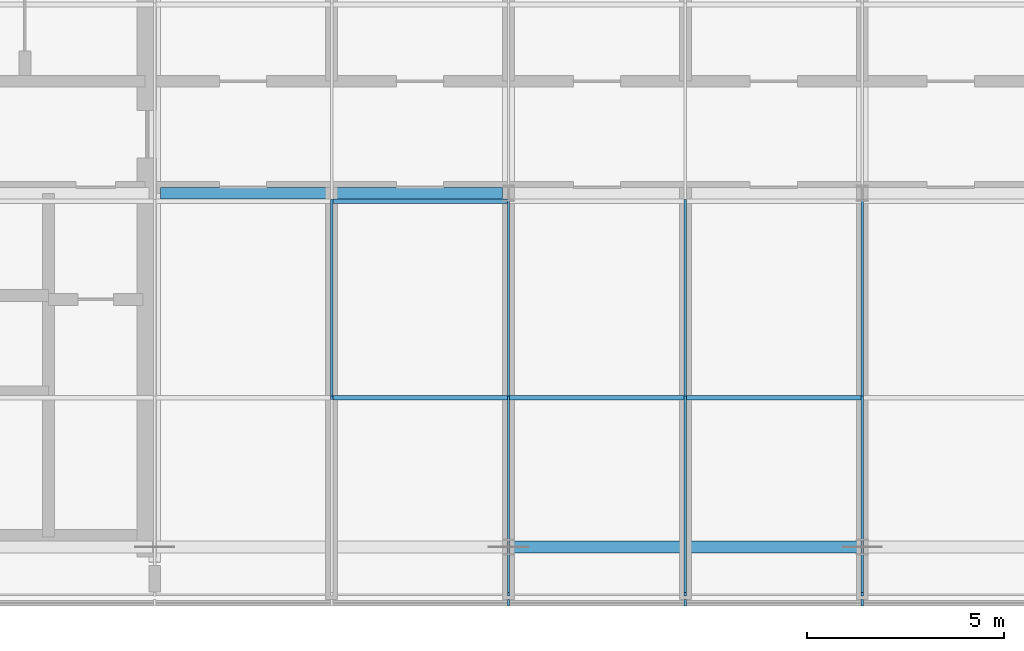
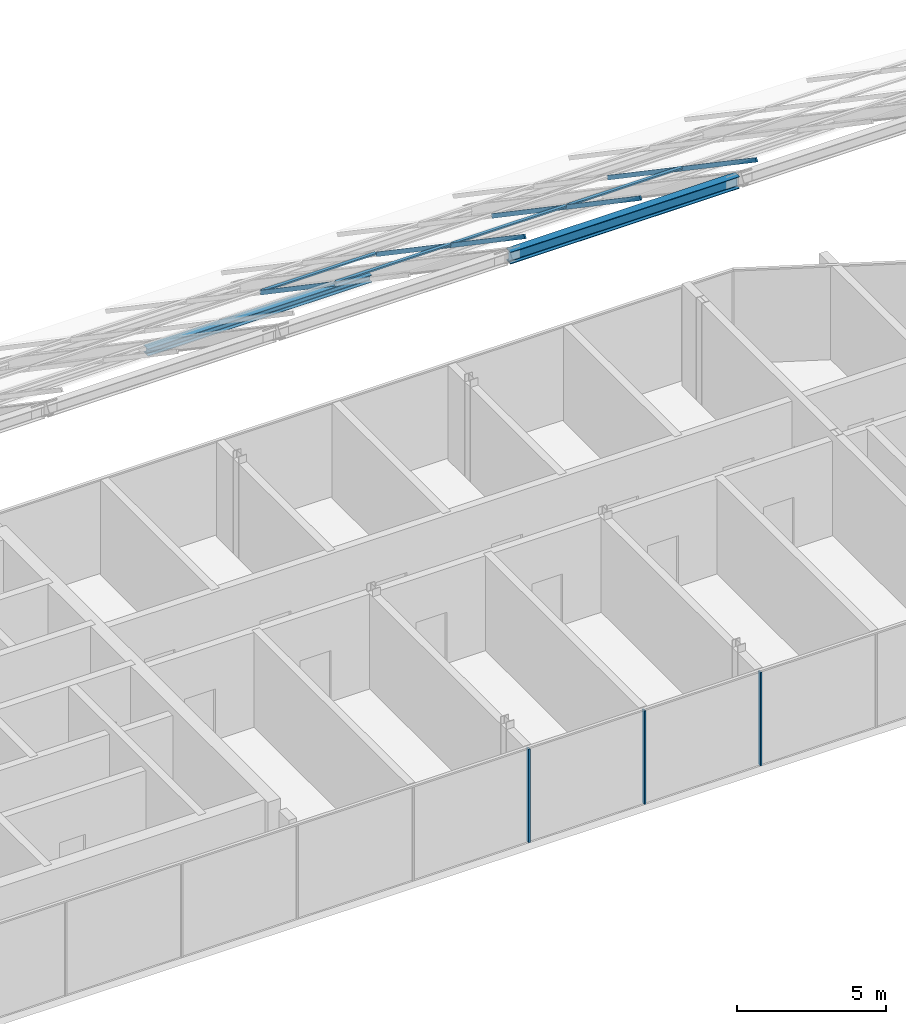
# One storey, part 10 of 25: 16 members, 3 elements without a shape of their own.
"""IFC4 building model written with IfcOpenShell, lengths in metres."""

from ifc_helpers import new_model, si_unit, direction, frame, origin, origin_2d, place, context, subcontext, project, spatial, rectangle, i_section, extrude, material, material_profile, profile_set, type_object, element, aggregate, save


model = new_model("IFC4")

# Units and contexts
model_context = context("Model", 3, precision=1e-05, world=origin(), true_north=direction((0.0, 1.0)))
body_context = subcontext(model_context, "Body", "Model", "MODEL_VIEW")
ifc_project = project(units=[si_unit("LENGTHUNIT", "METRE"), si_unit("AREAUNIT", "SQUARE_METRE"), si_unit("VOLUMEUNIT", "CUBIC_METRE"), si_unit("PLANEANGLEUNIT", "RADIAN"), si_unit("MASSUNIT", "GRAM", prefix="KILO")], contexts=[model_context])

# Site, building, storey
site_placement = place(None, origin())
site = spatial("IfcSite", under=ifc_project, at=site_placement, CompositionType="ELEMENT")
building_placement = place(site_placement, origin())
building = spatial("IfcBuilding", under=site, at=building_placement, Name="Ogive Portal Towers", CompositionType="ELEMENT")
storey_placement = place(building_placement, frame((0.0, 0.0, 272.89990234375)))
storey = spatial("IfcBuildingStorey", under=building, at=storey_placement, Name="L66", CompositionType="ELEMENT", Elevation=272.89990234375)

# Members
ifc_material_1 = material(Name="Steel S355", Category="steel")
ifc_material_profile_1 = material_profile(ifc_material_1, i_section(OverallWidth=0.300048828125, OverallDepth=0.300048828125, WebThickness=0.010986328125, FlangeThickness=0.01904296875, FilletRadius=0.027099609375, at=origin_2d()), Name="HEB 300")
ifc_profile_set_1 = profile_set([ifc_material_profile_1], Name="Steel S355")
member_type_1 = type_object("IfcMemberType", Name="CROWN PURLIN HEB 300", PredefinedType="PURLIN", material=ifc_profile_set_1)
member_1_placement = place(storey_placement, frame((58.64990234375, 30.5, 16.9501953125), z_axis=(1.0, 0.0, 0.0), x_axis=(0.0, 1.0, 0.0)))
element("IfcMember", 1, at=member_1_placement, inside=storey, type_object=member_type_1, Name="Crown purlin", PredefinedType="PURLIN", context=body_context, shape_type="SweptSolid", body=[
    extrude(i_section(OverallWidth=0.300048828125, OverallDepth=0.300048828125, WebThickness=0.010986328125, FlangeThickness=0.01904296875, FilletRadius=0.027099609375, at=origin_2d()), origin(), (0.0, 0.0, 1.0), 8.7001953125),
])
ifc_material_profile_2 = material_profile(ifc_material_1, i_section(OverallWidth=0.300048828125, OverallDepth=0.489990234375, WebThickness=0.011962890625, FlangeThickness=0.02294921875, FilletRadius=0.027099609375, at=origin_2d()), Name="HEA 500")
ifc_profile_set_2 = profile_set([ifc_material_profile_2], Name="Steel S355")
member_type_2 = type_object("IfcMemberType", Name="CROWN RIDGE BEAM HEA 500", PredefinedType="STRUT", material=ifc_profile_set_2)
member_2_placement = place(storey_placement, frame((67.550048828125, 21.5, 23.175048828125), z_axis=(1.0, 0.0, 0.0), x_axis=(0.0, 1.0, 0.0)))
element("IfcMember", 2, at=member_2_placement, inside=storey, type_object=member_type_2, Name="Crown ridge", PredefinedType="STRUT", context=body_context, shape_type="SweptSolid", body=[
    extrude(i_section(OverallWidth=0.300048828125, OverallDepth=0.489990234375, WebThickness=0.011962890625, FlangeThickness=0.02294921875, FilletRadius=0.027099609375, at=origin_2d()), origin(), (0.0, 0.0, 1.0), 8.89990234375),
])

# Curtain wall, members
ifc_material_2 = material(Name="Glass, clear low-iron insulated glazing", Category="glass")
curtain_wall_type = type_object("IfcCurtainWallType", Name="CW CROWN GLAZING", PredefinedType="NOTDEFINED", material=ifc_material_2)
curtain_wall_1_placement = place(storey_placement, origin())
curtain_wall_1 = element("IfcCurtainWall", 3, at=curtain_wall_1_placement, inside=storey, type_object=curtain_wall_type, Name="A:L66:c06:cw", PredefinedType="NOTDEFINED")
ifc_material_3 = material(Name="Aluminium 6063 anodised", Category="aluminium")
ifc_material_profile_3 = material_profile(ifc_material_3, rectangle(XDim=0.159912109375, YDim=0.06005859375, at=origin_2d()), Name="AL 60x160")
ifc_profile_set_3 = profile_set([ifc_material_profile_3], Name="Aluminium 6063 anodised")
member_type_3 = type_object("IfcMemberType", Name="CW MULLION 60x160", PredefinedType="MULLION", material=ifc_profile_set_3)
member_3_placement = place(storey_placement, frame((67.5, 20.080078125, 0.0), z_axis=(0.0, 0.0, 1.0), x_axis=(0.0, 1.0, 0.0)))
member_3 = element("IfcMember", 4, at=member_3_placement, type_object=member_type_3, Name="mullion", PredefinedType="MULLION", context=body_context, shape_type="SweptSolid", body=[
    extrude(rectangle(XDim=0.159912109375, YDim=0.06005859375, at=origin_2d()), origin(), (0.0, 0.0, 1.0), 3.840087890625),
])
member_4_placement = place(storey_placement, frame((72.0, 20.080078125, 0.0), z_axis=(0.0, 0.0, 1.0), x_axis=(0.0, 1.0, 0.0)))
member_4 = element("IfcMember", 5, at=member_4_placement, type_object=member_type_3, Name="mullion", PredefinedType="MULLION", context=body_context, shape_type="SweptSolid", body=[
    extrude(rectangle(XDim=0.159912109375, YDim=0.06005859375, at=origin_2d()), origin(), (0.0, 0.0, 1.0), 3.840087890625),
])
member_5_placement = place(storey_placement, frame((76.5, 20.080078125, 0.0), z_axis=(0.0, 0.0, 1.0), x_axis=(0.0, 1.0, 0.0)))
member_5 = element("IfcMember", 6, at=member_5_placement, type_object=member_type_3, Name="mullion", PredefinedType="MULLION", context=body_context, shape_type="SweptSolid", body=[
    extrude(rectangle(XDim=0.159912109375, YDim=0.06005859375, at=origin_2d()), origin(), (0.0, 0.0, 1.0), 3.840087890625),
])
aggregate(curtain_wall_1, [member_3, member_4, member_5])

curtain_wall_2_placement = place(storey_placement, origin())
curtain_wall_2 = element("IfcCurtainWall", 7, at=curtain_wall_2_placement, inside=storey, type_object=curtain_wall_type, Name="Crown roof glazing 3", PredefinedType="NOTDEFINED")
ifc_material_profile_4 = material_profile(ifc_material_3, rectangle(XDim=0.06005859375, YDim=0.159912109375, at=origin_2d()), Name="AL 60x160 rafter")
ifc_profile_set_4 = profile_set([ifc_material_profile_4], Name="Aluminium 6063 anodised")
member_type_4 = type_object("IfcMemberType", Name="CW ROOF RAFTER 60x160", PredefinedType="MULLION", material=ifc_profile_set_4)
member_6_placement = place(storey_placement, frame((63.0, 25.300048828125, 21.33154296875), z_axis=(0.0, 0.82693401206, -0.562298977146), x_axis=(-1.0, 0.0, 0.0)))
member_6 = element("IfcMember", 8, at=member_6_placement, type_object=member_type_4, Name="roof rafter", PredefinedType="MULLION", context=body_context, shape_type="SweptSolid", body=[
    extrude(rectangle(XDim=0.06005859375, YDim=0.159912109375, at=origin_2d()), origin(), (0.0, 0.0, 1.0), 6.04638671875),
])
member_7_placement = place(storey_placement, frame((67.5, 20.300048828125, 24.731689453125), z_axis=(0.0, 0.826915237064, -0.562326587236), x_axis=(-1.0, 0.0, 0.0)))
member_7 = element("IfcMember", 9, at=member_7_placement, type_object=member_type_4, Name="roof rafter", PredefinedType="MULLION", context=body_context, shape_type="SweptSolid", body=[
    extrude(rectangle(XDim=0.06005859375, YDim=0.159912109375, at=origin_2d()), origin(), (0.0, 0.0, 1.0), 6.046630859375),
])
member_8_placement = place(storey_placement, frame((67.5, 25.300048828125, 21.33154296875), z_axis=(0.0, 0.82693401206, -0.562298977146), x_axis=(-1.0, 0.0, 0.0)))
member_8 = element("IfcMember", 10, at=member_8_placement, type_object=member_type_4, Name="roof rafter", PredefinedType="MULLION", context=body_context, shape_type="SweptSolid", body=[
    extrude(rectangle(XDim=0.06005859375, YDim=0.159912109375, at=origin_2d()), origin(), (0.0, 0.0, 1.0), 6.04638671875),
])

curtain_wall_3_placement = place(storey_placement, origin())
curtain_wall_3 = element("IfcCurtainWall", 11, at=curtain_wall_3_placement, inside=storey, type_object=curtain_wall_type, Name="Crown roof glazing 4", PredefinedType="NOTDEFINED")
member_9_placement = place(storey_placement, frame((72.0, 20.300048828125, 24.731689453125), z_axis=(0.0, 0.826915237064, -0.562326587236), x_axis=(-1.0, 0.0, 0.0)))
member_9 = element("IfcMember", 12, at=member_9_placement, type_object=member_type_4, Name="roof rafter", PredefinedType="MULLION", context=body_context, shape_type="SweptSolid", body=[
    extrude(rectangle(XDim=0.06005859375, YDim=0.159912109375, at=origin_2d()), origin(), (0.0, 0.0, 1.0), 6.046630859375),
])
member_10_placement = place(storey_placement, frame((72.0, 25.300048828125, 21.33154296875), z_axis=(0.0, 0.82693401206, -0.562298977146), x_axis=(-1.0, 0.0, 0.0)))
member_10 = element("IfcMember", 13, at=member_10_placement, type_object=member_type_4, Name="roof rafter", PredefinedType="MULLION", context=body_context, shape_type="SweptSolid", body=[
    extrude(rectangle(XDim=0.06005859375, YDim=0.159912109375, at=origin_2d()), origin(), (0.0, 0.0, 1.0), 6.04638671875),
])
member_11_placement = place(storey_placement, frame((76.5, 20.300048828125, 24.731689453125), z_axis=(0.0, 0.826915237064, -0.562326587236), x_axis=(-1.0, 0.0, 0.0)))
member_11 = element("IfcMember", 14, at=member_11_placement, type_object=member_type_4, Name="roof rafter", PredefinedType="MULLION", context=body_context, shape_type="SweptSolid", body=[
    extrude(rectangle(XDim=0.06005859375, YDim=0.159912109375, at=origin_2d()), origin(), (0.0, 0.0, 1.0), 6.046630859375),
])
member_12_placement = place(storey_placement, frame((76.5, 25.300048828125, 21.33154296875), z_axis=(0.0, 0.82693401206, -0.562298977146), x_axis=(-1.0, 0.0, 0.0)))
member_12 = element("IfcMember", 15, at=member_12_placement, type_object=member_type_4, Name="roof rafter", PredefinedType="MULLION", context=body_context, shape_type="SweptSolid", body=[
    extrude(rectangle(XDim=0.06005859375, YDim=0.159912109375, at=origin_2d()), origin(), (0.0, 0.0, 1.0), 6.04638671875),
])

# Member
ifc_material_profile_5 = material_profile(ifc_material_3, rectangle(XDim=0.1201171875, YDim=0.06005859375, at=origin_2d()), Name="AL 120x60")
ifc_profile_set_5 = profile_set([ifc_material_profile_5], Name="Aluminium 6063 anodised")
member_type_5 = type_object("IfcMemberType", Name="CW TRANSOM 60x120", PredefinedType="USERDEFINED", material=ifc_profile_set_5)
member_13_placement = place(storey_placement, frame((63.030029296875, 25.300048828125, 21.39208984375), z_axis=(1.0, 0.0, 0.0), x_axis=(0.0, 1.0, 0.0)))
member_13 = element("IfcMember", 16, at=member_13_placement, type_object=member_type_5, Name="roof transom", ObjectType="TRANSOM", PredefinedType="USERDEFINED", context=body_context, shape_type="SweptSolid", body=[
    extrude(rectangle(XDim=0.1201171875, YDim=0.06005859375, at=origin_2d()), origin(), (0.0, 0.0, 1.0), 4.43994140625),
])

member_14_placement = place(storey_placement, frame((63.030029296875, 30.300048828125, 17.9921875), z_axis=(1.0, 0.0, 0.0), x_axis=(0.0, 1.0, 0.0)))
member_14 = element("IfcMember", 17, at=member_14_placement, type_object=member_type_5, Name="roof transom", ObjectType="TRANSOM", PredefinedType="USERDEFINED", context=body_context, shape_type="SweptSolid", body=[
    extrude(rectangle(XDim=0.1201171875, YDim=0.06005859375, at=origin_2d()), origin(), (0.0, 0.0, 1.0), 4.43994140625),
])

aggregate(curtain_wall_2, [member_6, member_7, member_8, member_13, member_14])

member_15_placement = place(storey_placement, frame((67.530029296875, 25.300048828125, 21.39208984375), z_axis=(1.0, 0.0, 0.0), x_axis=(0.0, 1.0, 0.0)))
member_15 = element("IfcMember", 18, at=member_15_placement, type_object=member_type_5, Name="roof transom", ObjectType="TRANSOM", PredefinedType="USERDEFINED", context=body_context, shape_type="SweptSolid", body=[
    extrude(rectangle(XDim=0.1201171875, YDim=0.06005859375, at=origin_2d()), origin(), (0.0, 0.0, 1.0), 4.43994140625),
])

member_16_placement = place(storey_placement, frame((72.030029296875, 25.300048828125, 21.39208984375), z_axis=(1.0, 0.0, 0.0), x_axis=(0.0, 1.0, 0.0)))
member_16 = element("IfcMember", 19, at=member_16_placement, type_object=member_type_5, Name="roof transom", ObjectType="TRANSOM", PredefinedType="USERDEFINED", context=body_context, shape_type="SweptSolid", body=[
    extrude(rectangle(XDim=0.1201171875, YDim=0.06005859375, at=origin_2d()), origin(), (0.0, 0.0, 1.0), 4.43994140625),
])

aggregate(curtain_wall_3, [member_9, member_10, member_11, member_12, member_15, member_16])

save(model, "model.ifc")
